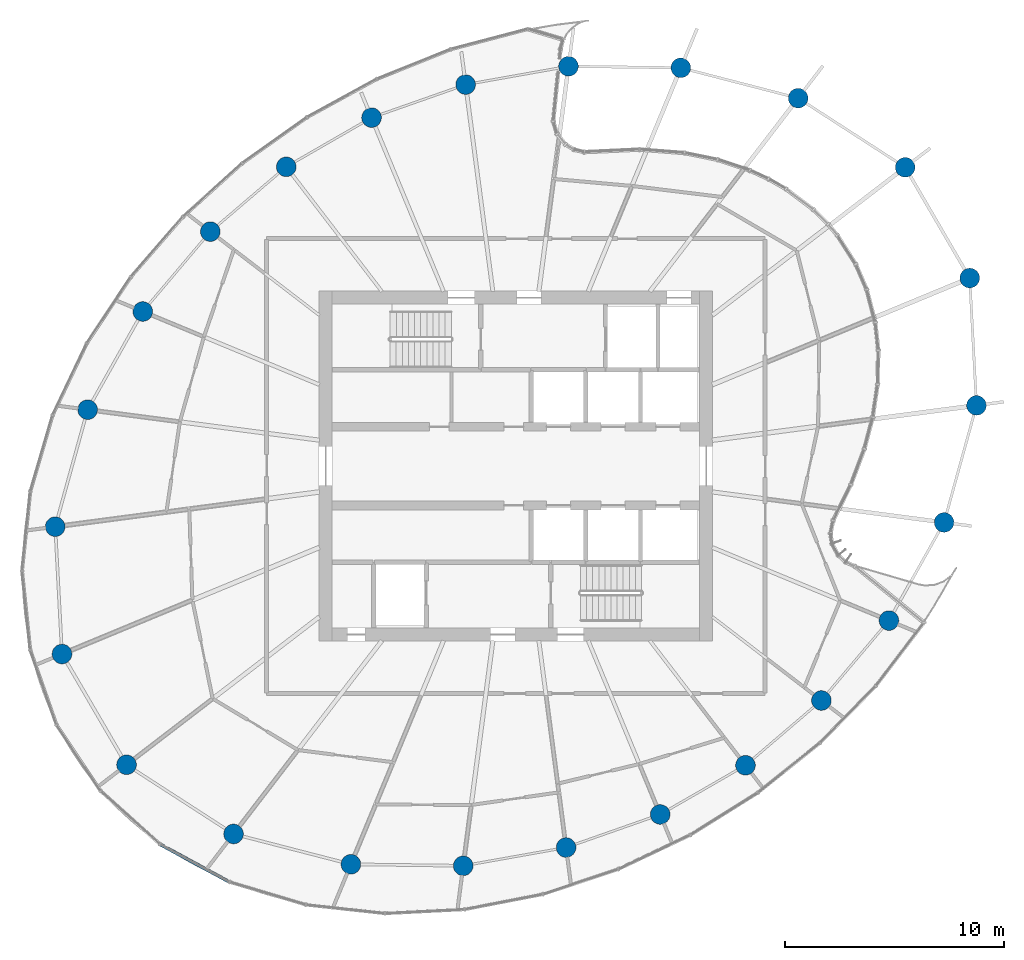
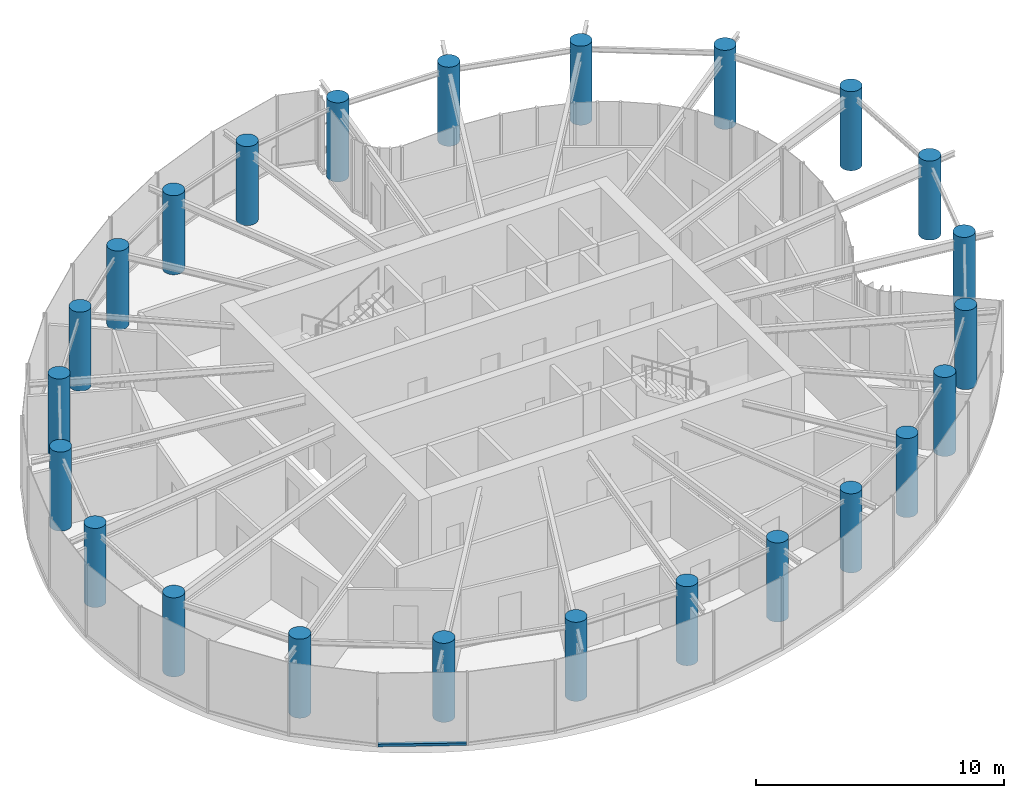
# One storey, part 1 of 17: 24 columns, 1 member, 1 element without a shape of its own.
"""IFC4 building model written with IfcOpenShell, lengths in metres."""

from ifc_helpers import new_model, si_unit, direction, frame, origin, origin_2d, place, context, subcontext, project, spatial, rectangle, circle, extrude, source, transform, mapped, material, layer, layer_set, material_profile, profile_set, type_object, element, aggregate, save


model = new_model("IFC4")

# Units and contexts
model_context = context("Model", 3, precision=1e-05, world=origin(), true_north=direction((0.0, 1.0)))
body_context = subcontext(model_context, "Body", "Model", "MODEL_VIEW")
ifc_project = project(units=[si_unit("LENGTHUNIT", "METRE"), si_unit("AREAUNIT", "SQUARE_METRE"), si_unit("VOLUMEUNIT", "CUBIC_METRE"), si_unit("PLANEANGLEUNIT", "RADIAN"), si_unit("MASSUNIT", "GRAM", prefix="KILO")], contexts=[model_context])

# Site, building, storey
site_placement = place(None, origin())
site = spatial("IfcSite", under=ifc_project, at=site_placement, CompositionType="ELEMENT")
building_placement = place(site_placement, origin())
building = spatial("IfcBuilding", under=site, at=building_placement, Name="Spindrift Exchange Tower", CompositionType="ELEMENT")
storey_placement = place(building_placement, frame((0.0, 0.0, 187.699951171875)))
storey = spatial("IfcBuildingStorey", under=building, at=storey_placement, Name="L45", CompositionType="ELEMENT", Elevation=187.699951171875)

# Columns
ifc_material_1 = material(Name="Concrete 50 MPa", Category="concrete")
ifc_material_profile_1 = material_profile(ifc_material_1, circle(Radius=0.449951171875, at=origin_2d()), Name="RC D900")
ifc_profile_set_1 = profile_set([ifc_material_profile_1], Name="Concrete 50 MPa")
column_type = type_object("IfcColumnType", Name="RC Perimeter Column D900 Concrete 50 MPa", PredefinedType="COLUMN", material=ifc_profile_set_1)
shared_shape_1 = source(origin(), body_context, "Body", "SweptSolid", [
    extrude(circle(Radius=0.449951171875, at=origin_2d()), origin(), (0.0, 0.0, 1.0), 3.900146484375),
])
for number, where, z_axis, x_axis, name in (
    (1, (73.062255859375, 50.77294921875, 0.0), (0.0, 0.0, 1.0), (1.0, 0.0, 0.0), "Perimeter column P4-01 L45"),
    (2, (72.753173828125, 56.59619140625, 0.0), (0.0, 0.0, 1.0), (1.0, 0.0, 0.0), "Perimeter column P4-02 L45"),
    (3, (69.802001953125, 61.659912109375, 0.0), (0.0, 0.0, 1.0), (1.0, 0.0, 0.0), "Perimeter column P4-03 L45"),
    (4, (64.90869140625, 64.822998046875, 0.0), (0.0, 0.0, 1.0), (1.0, 0.0, 0.0), "Perimeter column P4-04 L45"),
    (5, (59.542724609375, 66.209716796875, 0.0), (0.0, 0.0, 1.0), (1.0, 0.0, 0.0), "Perimeter column P4-05 L45"),
    (6, (54.406494140625, 66.2783203125, 0.0), (0.0, 0.0, 1.0), (1.0, 0.0, 0.0), "Perimeter column P4-06 L45"),
    (7, (49.70361328125, 65.4423828125, 0.0), (0.0, 0.0, 1.0), (1.0, 0.0, 0.0), "Perimeter column P4-07 L45"),
    (8, (45.40087890625, 63.931396484375, 0.0), (0.0, 0.0, 1.0), (1.0, 0.0, 0.0), "Perimeter column P4-08 L45"),
    (9, (41.500732421875, 61.68310546875, 0.0), (0.0, 0.0, 1.0), (1.0, 0.0, 0.0), "Perimeter column P4-09 L45"),
    (10, (38.029052734375, 58.72021484375, 0.0), (0.0, 0.0, 1.0), (1.0, 0.0, 0.0), "Perimeter column P4-10 L45"),
    (11, (34.940673828125, 55.066162109375, 0.0), (0.0, 0.0, 1.0), (1.0, 0.0, 0.0), "Perimeter column P4-11 L45"),
    (12, (32.4189453125, 50.577880859375, 0.0), (0.0, 0.0, 1.0), (1.0, 0.0, 0.0), "Perimeter column P4-12 L45"),
    (13, (30.937744140625, 45.22705078125, 0.0), (0.0, 0.0, 1.0), (1.0, 0.0, 0.0), "Perimeter column P4-13 L45"),
    (14, (31.246826171875, 39.40380859375, 0.0), (0.0, 0.0, 1.0), (1.0, 0.0, 0.0), "Perimeter column P4-14 L45"),
    (15, (34.197998046875, 34.340087890625, 0.0), (0.0, 0.0, 1.0), (1.0, 0.0, 0.0), "Perimeter column P4-15 L45"),
    (16, (39.09130859375, 31.177001953125, 0.0), (0.0, 0.0, 1.0), (1.0, 0.0, 0.0), "Perimeter column P4-16 L45"),
    (17, (44.457275390625, 29.790283203125, 0.0), (0.0, 0.0, 1.0), (1.0, 0.0, 0.0), "Perimeter column P4-17 L45"),
    (18, (49.593505859375, 29.7216796875, 0.0), (0.0, 0.0, 1.0), (1.0, 0.0, 0.0), "Perimeter column P4-18 L45"),
    (19, (54.29638671875, 30.5576171875, 0.0), (0.0, 0.0, 1.0), (1.0, 0.0, 0.0), "Perimeter column P4-19 L45"),
    (20, (58.59912109375, 32.068603515625, 0.0), (0.0, 0.0, 1.0), (1.0, 0.0, 0.0), "Perimeter column P4-20 L45"),
    (21, (62.499267578125, 34.31689453125, 0.0), (0.0, 0.0, 1.0), (1.0, 0.0, 0.0), "Perimeter column P4-21 L45"),
    (22, (65.970947265625, 37.27978515625, 0.0), (0.0, 0.0, 1.0), (1.0, 0.0, 0.0), "Perimeter column P4-22 L45"),
    (23, (69.059326171875, 40.933837890625, 0.0), (0.0, 0.0, 1.0), (1.0, 0.0, 0.0), "Perimeter column P4-23 L45"),
    (24, (71.5810546875, 45.422119140625, 0.0), (0.0, 0.0, 1.0), (1.0, 0.0, 0.0), "Perimeter column P4-24 L45"),
):
    element("IfcColumn", number, at=place(storey_placement, frame(where, z_axis=z_axis, x_axis=x_axis)), inside=storey, type_object=column_type, Name=name, PredefinedType="COLUMN", context=body_context, shape_type="MappedRepresentation", body=[
        mapped(shared_shape_1, transform((0.0, 0.0, 0.0), scale=1.0)),
    ])

# Curtain wall, member
ifc_material_2 = material(Name="Fritted laminated glass with bronze frame", Category="glass")
ifc_layer = layer(ifc_material_2, 0.169921875)
ifc_layer_set = layer_set([ifc_layer], Name="ZONE 4 BRONZE FRITTED WALL")
curtain_wall_type = type_object("IfcCurtainWallType", Name="ZONE 4 BRONZE FRITTED WALL", PredefinedType="NOTDEFINED", material=ifc_layer_set)
curtain_wall_placement = place(storey_placement, origin())
curtain_wall = element("IfcCurtainWall", 25, at=curtain_wall_placement, inside=storey, type_object=curtain_wall_type, Name="L45 Zone 4 Bronze Fritted Wall run 3", PredefinedType="NOTDEFINED")
ifc_material_3 = material(Name="Bronze anodised aluminium", Category="aluminium")
ifc_material_profile_2 = material_profile(ifc_material_3, rectangle(XDim=0.14990234375, YDim=0.125, at=origin_2d()), Name="ZONE 4 BRONZE FRITTED WALL TRANSOM 150X125")
ifc_profile_set_2 = profile_set([ifc_material_profile_2], Name="Bronze anodised aluminium")
member_type = type_object("IfcMemberType", Name="ZONE 4 BRONZE FRITTED WALL TRANSOM 150X125", PredefinedType="USERDEFINED", material=ifc_profile_set_2)
shared_shape_2 = source(origin(), body_context, "Body", "SweptSolid", [
    extrude(rectangle(XDim=0.14990234375, YDim=0.125, at=origin_2d()), origin(), (0.0, 0.0, 1.0), 3.572509765625),
])
member_placement = place(storey_placement, frame((35.745361328125, 30.6953125, 0.0625), z_axis=(0.878828870125, -0.477137105071, 0.0), x_axis=(0.477137105071, 0.878828870125, 0.0)))
member = element("IfcMember", 26, at=member_placement, type_object=member_type, Name="L45 transom CW-4.15", ObjectType="TRANSOM", PredefinedType="USERDEFINED", context=body_context, shape_type="MappedRepresentation", body=[
    mapped(shared_shape_2, transform((0.0, 0.0, 0.0), scale=1.0)),
])
aggregate(curtain_wall, [member])

save(model, "model.ifc")
